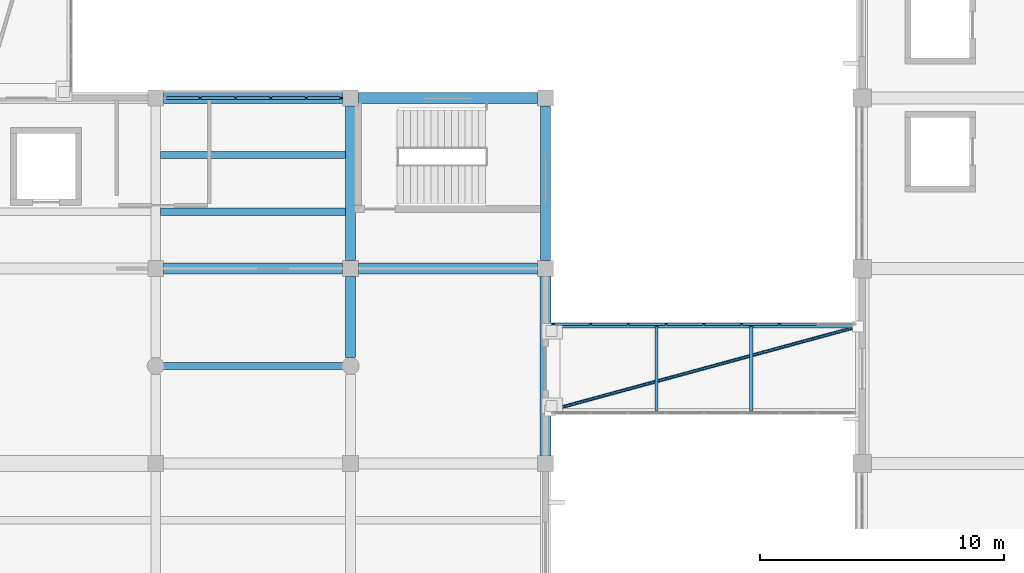
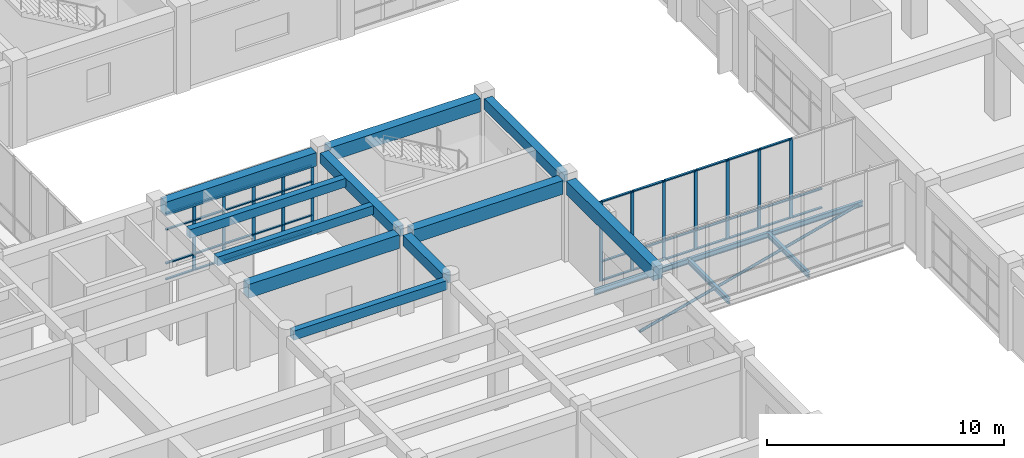
# One storey, part 21 of 70: 53 members, 14 beams, 2 elements without a shape of their own.
"""IFC4 building model written with IfcOpenShell, lengths in metres."""

from ifc_helpers import new_model, si_unit, direction, frame, origin, origin_2d, place, context, subcontext, project, spatial, rectangle, hollow_circle, i_section, extrude, material, layer, layer_set, material_profile, profile_set, type_object, element, aggregate, save


model = new_model("IFC4")

# Units and contexts
model_context = context("Model", 3, precision=1e-05, world=origin(), true_north=direction((0.0, 1.0)))
body_context = subcontext(model_context, "Body", "Model", "MODEL_VIEW")
ifc_project = project(units=[si_unit("LENGTHUNIT", "METRE"), si_unit("AREAUNIT", "SQUARE_METRE"), si_unit("VOLUMEUNIT", "CUBIC_METRE"), si_unit("PLANEANGLEUNIT", "RADIAN"), si_unit("MASSUNIT", "GRAM", prefix="KILO")], contexts=[model_context])

# Site, building, storey
site_placement = place(None, origin())
site = spatial("IfcSite", under=ifc_project, at=site_placement, CompositionType="ELEMENT")
building_placement = place(site_placement, origin())
building = spatial("IfcBuilding", under=site, at=building_placement, Name="Naurynzar Civic Courthouse", CompositionType="ELEMENT")
storey_placement = place(building_placement, frame((0.0, 0.0, 5.39990234375)))
storey = spatial("IfcBuildingStorey", under=building, at=storey_placement, Name="L02", CompositionType="ELEMENT", Elevation=5.39990234375)

# Beams
ifc_material_1 = material(Name="Concrete C40/50", Category="concrete")
ifc_material_profile_1 = material_profile(ifc_material_1, rectangle(XDim=0.300048828125, YDim=0.449951171875, at=origin_2d()), Name="RCJ 300x450")
ifc_profile_set_1 = profile_set([ifc_material_profile_1], Name="Concrete C40/50")
beam_type_1 = type_object("IfcBeamType", Name="BM-JST-300x450", PredefinedType="JOIST", material=ifc_profile_set_1)
for number, where, z_axis, x_axis, name in (
    (1, (101.199951171875, 27.333251953125, 3.93505859375), (1.0, 0.0, 0.0), (0.0, 1.0, 0.0), "V3 secondary rib 1415 L02"),
    (2, (101.199951171875, 29.666748046875, 3.93505859375), (1.0, 0.0, 0.0), (0.0, 1.0, 0.0), "V3 secondary rib 1416 L02"),
):
    element("IfcBeam", number, at=place(storey_placement, frame(where, z_axis=z_axis, x_axis=x_axis)), inside=storey, type_object=beam_type_1, Name=name, PredefinedType="JOIST", context=body_context, shape_type="SweptSolid", body=[
        extrude(rectangle(XDim=0.300048828125, YDim=0.449951171875, at=origin_2d()), origin(), (0.0, 0.0, 1.0), 7.60009765625),
    ])
ifc_material_2 = material(Name="Concrete C40/50", Category="concrete")
ifc_material_profile_2 = material_profile(ifc_material_2, rectangle(XDim=0.300048828125, YDim=0.47509765625, at=origin_2d()), Name="RCB 300x475")
ifc_profile_set_2 = profile_set([ifc_material_profile_2], Name="Concrete C40/50")
beam_type_2 = type_object("IfcBeamType", Name="BM-LNT-300x475", PredefinedType="LINTEL", material=ifc_profile_set_2)
beam_1_placement = place(storey_placement, frame((101.25, 21.0, 3.922607421875), z_axis=(1.0, 0.0, 0.0), x_axis=(0.0, 1.0, 0.0)))
element("IfcBeam", 3, at=beam_1_placement, inside=storey, type_object=beam_type_2, Name="Law Library spine lintel beam 6", PredefinedType="LINTEL", context=body_context, shape_type="SweptSolid", body=[
    extrude(rectangle(XDim=0.300048828125, YDim=0.47509765625, at=origin_2d()), origin(), (0.0, 0.0, 1.0), 7.5),
])
ifc_material_3 = material(Name="Concrete C40/50", Category="concrete")
ifc_material_profile_3 = material_profile(ifc_material_3, rectangle(XDim=0.39990234375, YDim=0.550048828125, at=origin_2d()), Name="RCB 400x550")
ifc_profile_set_3 = profile_set([ifc_material_profile_3], Name="Concrete C40/50")
beam_type_3 = type_object("IfcBeamType", Name="BM-RC-400x550", PredefinedType="BEAM", material=ifc_profile_set_3)
beam_2_placement = place(storey_placement, frame((109.0, 21.35009765625, 3.885009765625), z_axis=(0.0, 1.0, 0.0), x_axis=(-1.0, 0.0, 0.0)))
element("IfcBeam", 4, at=beam_2_placement, inside=storey, type_object=beam_type_3, Name="V3 girder Y-1394 L02", PredefinedType="BEAM", context=body_context, shape_type="SweptSolid", body=[
    extrude(rectangle(XDim=0.39990234375, YDim=0.550048828125, at=origin_2d()), origin(), (0.0, 0.0, 1.0), 3.324951171875),
])
for number, where, z_axis, x_axis, name in (
    (5, (109.0, 25.324951171875, 3.885009765625), (0.0, 1.0, 0.0), (-1.0, 0.0, 0.0), "V3 girder Y-1395 L02"),
    (6, (117.0, 25.324951171875, 3.885009765625), (0.0, 1.0, 0.0), (-1.0, 0.0, 0.0), "V3 girder Y-1399 L02"),
):
    element("IfcBeam", number, at=place(storey_placement, frame(where, z_axis=z_axis, x_axis=x_axis)), inside=storey, type_object=beam_type_3, Name=name, PredefinedType="BEAM", context=body_context, shape_type="SweptSolid", body=[
        extrude(rectangle(XDim=0.39990234375, YDim=0.550048828125, at=origin_2d()), origin(), (0.0, 0.0, 1.0), 6.35009765625),
    ])
ifc_material_4 = material(Name="Concrete C40/50", Category="concrete")
ifc_material_profile_4 = material_profile(ifc_material_4, rectangle(XDim=0.449951171875, YDim=0.699951171875, at=origin_2d()), Name="RCB 450x700")
ifc_profile_set_4 = profile_set([ifc_material_profile_4], Name="Concrete C40/50")
beam_type_4 = type_object("IfcBeamType", Name="BM-RC-450x700", PredefinedType="BEAM", material=ifc_profile_set_4)
for number, where, z_axis, x_axis, name in (
    (7, (101.324951171875, 25.0, 3.81005859375), (1.0, 0.0, 0.0), (0.0, 1.0, 0.0), "V3 beam X-1361 L02"),
    (8, (109.324951171875, 25.0, 3.81005859375), (1.0, 0.0, 0.0), (0.0, 1.0, 0.0), "V3 beam X-1362 L02"),
    (9, (101.324951171875, 32.0, 3.81005859375), (1.0, 0.0, 0.0), (0.0, 1.0, 0.0), "V3 beam X-1367 L02"),
    (10, (109.324951171875, 32.0, 3.81005859375), (1.0, 0.0, 0.0), (0.0, 1.0, 0.0), "V3 beam X-1368 L02"),
    (11, (117.0, 17.324951171875, 3.81005859375), (0.0, 1.0, 0.0), (-1.0, 0.0, 0.0), "V3 girder Y-1398 L02"),
):
    element("IfcBeam", number, at=place(storey_placement, frame(where, z_axis=z_axis, x_axis=x_axis)), inside=storey, type_object=beam_type_4, Name=name, PredefinedType="BEAM", context=body_context, shape_type="SweptSolid", body=[
        extrude(rectangle(XDim=0.449951171875, YDim=0.699951171875, at=origin_2d()), origin(), (0.0, 0.0, 1.0), 7.35009765625),
    ])
ifc_material_5 = material(Name="Steel S355", Category="steel")
ifc_material_profile_5 = material_profile(ifc_material_5, i_section(OverallWidth=0.135009765625, OverallDepth=0.27001953125, WebThickness=0.006591796875, FlangeThickness=0.01025390625, FilletRadius=0.014892578125, at=origin_2d()), Name="IPE 270")
ifc_profile_set_5 = profile_set([ifc_material_profile_5], Name="Steel S355")
beam_type_5 = type_object("IfcBeamType", Name="BM-STL-IPE270", PredefinedType="BEAM", material=ifc_profile_set_5)
beam_3_placement = place(storey_placement, frame((116.949951171875, 22.6298828125, -0.375), z_axis=(1.0, 0.0, 0.0), x_axis=(0.0, 1.0, 0.0)))
element("IfcBeam", 12, at=beam_3_placement, inside=storey, type_object=beam_type_5, Name="BR-E2 edge steel beam L02.2", PredefinedType="BEAM", context=body_context, shape_type="SweptSolid", body=[
    extrude(i_section(OverallWidth=0.135009765625, OverallDepth=0.27001953125, WebThickness=0.006591796875, FlangeThickness=0.01025390625, FilletRadius=0.014892578125, at=origin_2d()), origin(), (0.0, 0.0, 1.0), 13.10009765625),
])
for number, where, z_axis, x_axis, name in (
    (13, (121.555908203125, 19.169921875, -0.375), (0.0, 1.0, 0.0), (-1.0, 0.0, 0.0), "BR-E2 deck cross-beam L02.1"),
    (14, (125.444091796875, 19.169921875, -0.375), (0.0, 1.0, 0.0), (-1.0, 0.0, 0.0), "BR-E2 deck cross-beam L02.2"),
):
    element("IfcBeam", number, at=place(storey_placement, frame(where, z_axis=z_axis, x_axis=x_axis)), inside=storey, type_object=beam_type_5, Name=name, PredefinedType="BEAM", context=body_context, shape_type="SweptSolid", body=[
        extrude(i_section(OverallWidth=0.135009765625, OverallDepth=0.27001953125, WebThickness=0.006591796875, FlangeThickness=0.01025390625, FilletRadius=0.014892578125, at=origin_2d()), origin(), (0.0, 0.0, 1.0), 3.4599609375),
    ])

# Curtain wall, members
ifc_material_6 = material(Name="Aluminium 6063-T6", Category="aluminium")
ifc_layer_1 = layer(ifc_material_6, 0.179931640625)
ifc_layer_set_1 = layer_set([ifc_layer_1], Name="CW-UNIT-1500")
curtain_wall_type_1 = type_object("IfcCurtainWallType", Name="CW-UNIT-1500", PredefinedType="NOTDEFINED", material=ifc_layer_set_1)
curtain_wall_1_placement = place(storey_placement, origin())
curtain_wall_1 = element("IfcCurtainWall", 15, at=curtain_wall_1_placement, inside=storey, type_object=curtain_wall_type_1, Name="V3 unitised curtain wall 66 L02", PredefinedType="NOTDEFINED")
ifc_material_7 = material(Name="Aluminium 6063-T6", Category="aluminium")
ifc_material_profile_6 = material_profile(ifc_material_7, rectangle(XDim=0.06005859375, YDim=0.14990234375, at=origin_2d()), Name="ALU MULLION 60x150")
ifc_profile_set_6 = profile_set([ifc_material_profile_6], Name="Aluminium 6063-T6")
member_type_1 = type_object("IfcMemberType", Name="CWM-60x150", PredefinedType="MULLION", material=ifc_profile_set_6)
member_1_placement = place(storey_placement, frame((102.824951171875, 32.0, 0.0), z_axis=(0.0, 0.0, 1.0), x_axis=(0.0, 1.0, 0.0)))
member_1 = element("IfcMember", 16, at=member_1_placement, type_object=member_type_1, Name="CW-01 mullion 2", PredefinedType="MULLION", context=body_context, shape_type="SweptSolid", body=[
    extrude(rectangle(XDim=0.06005859375, YDim=0.14990234375, at=origin_2d()), origin(), (0.0, 0.0, 1.0), 3.440185546875),
])
member_2_placement = place(storey_placement, frame((104.27490234375, 32.0, 0.0), z_axis=(0.0, 0.0, 1.0), x_axis=(0.0, 1.0, 0.0)))
member_2 = element("IfcMember", 17, at=member_2_placement, type_object=member_type_1, Name="CW-01 mullion 3", PredefinedType="MULLION", context=body_context, shape_type="SweptSolid", body=[
    extrude(rectangle(XDim=0.06005859375, YDim=0.14990234375, at=origin_2d()), origin(), (0.0, 0.0, 1.0), 3.440185546875),
])
member_3_placement = place(storey_placement, frame((105.72509765625, 32.0, 0.0), z_axis=(0.0, 0.0, 1.0), x_axis=(0.0, 1.0, 0.0)))
member_3 = element("IfcMember", 18, at=member_3_placement, type_object=member_type_1, Name="CW-01 mullion 4", PredefinedType="MULLION", context=body_context, shape_type="SweptSolid", body=[
    extrude(rectangle(XDim=0.06005859375, YDim=0.14990234375, at=origin_2d()), origin(), (0.0, 0.0, 1.0), 3.440185546875),
])
member_4_placement = place(storey_placement, frame((107.175048828125, 32.0, 0.0), z_axis=(0.0, 0.0, 1.0), x_axis=(0.0, 1.0, 0.0)))
member_4 = element("IfcMember", 19, at=member_4_placement, type_object=member_type_1, Name="CW-01 mullion 5", PredefinedType="MULLION", context=body_context, shape_type="SweptSolid", body=[
    extrude(rectangle(XDim=0.06005859375, YDim=0.14990234375, at=origin_2d()), origin(), (0.0, 0.0, 1.0), 3.440185546875),
])
member_5_placement = place(storey_placement, frame((108.594970703125, 32.0, 0.0), z_axis=(0.0, 0.0, 1.0), x_axis=(0.0, 1.0, 0.0)))
member_5 = element("IfcMember", 20, at=member_5_placement, type_object=member_type_1, Name="CW-01 mullion 6", PredefinedType="MULLION", context=body_context, shape_type="SweptSolid", body=[
    extrude(rectangle(XDim=0.06005859375, YDim=0.14990234375, at=origin_2d()), origin(), (0.0, 0.0, 1.0), 3.440185546875),
])

ifc_material_8 = material(Name="Aluminium 6063-T6", Category="aluminium")
ifc_layer_2 = layer(ifc_material_8, 0.14990234375)
ifc_layer_set_2 = layer_set([ifc_layer_2], Name="CW-BRIDGE-1500")
curtain_wall_type_2 = type_object("IfcCurtainWallType", Name="CW-BRIDGE-1500", PredefinedType="USERDEFINED", material=ifc_layer_set_2)
curtain_wall_2_placement = place(storey_placement, origin())
curtain_wall_2 = element("IfcCurtainWall", 21, at=curtain_wall_2_placement, inside=storey, type_object=curtain_wall_type_2, Name="BR-E2 glazed bridge screen L02.2", ObjectType="GLAZED BRIDGE SCREEN", PredefinedType="USERDEFINED")
member_6_placement = place(storey_placement, frame((126.60009765625, 22.719970703125, 0.0), z_axis=(0.0, 0.0, 1.0), x_axis=(0.0, -1.0, 0.0)))
member_6 = element("IfcMember", 22, at=member_6_placement, type_object=member_type_1, Name="CW-03 mullion 3", PredefinedType="MULLION", context=body_context, shape_type="SweptSolid", body=[
    extrude(rectangle(XDim=0.06005859375, YDim=0.14990234375, at=origin_2d()), origin(), (0.0, 0.0, 1.0), 4.1201171875),
])
member_7_placement = place(storey_placement, frame((125.050048828125, 22.719970703125, 0.0), z_axis=(0.0, 0.0, 1.0), x_axis=(0.0, -1.0, 0.0)))
member_7 = element("IfcMember", 23, at=member_7_placement, type_object=member_type_1, Name="CW-03 mullion 4", PredefinedType="MULLION", context=body_context, shape_type="SweptSolid", body=[
    extrude(rectangle(XDim=0.06005859375, YDim=0.14990234375, at=origin_2d()), origin(), (0.0, 0.0, 1.0), 4.1201171875),
])
member_8_placement = place(storey_placement, frame((123.5, 22.719970703125, 0.0), z_axis=(0.0, 0.0, 1.0), x_axis=(0.0, -1.0, 0.0)))
member_8 = element("IfcMember", 24, at=member_8_placement, type_object=member_type_1, Name="CW-03 mullion 5", PredefinedType="MULLION", context=body_context, shape_type="SweptSolid", body=[
    extrude(rectangle(XDim=0.06005859375, YDim=0.14990234375, at=origin_2d()), origin(), (0.0, 0.0, 1.0), 4.1201171875),
])
member_9_placement = place(storey_placement, frame((121.949951171875, 22.719970703125, 0.0), z_axis=(0.0, 0.0, 1.0), x_axis=(0.0, -1.0, 0.0)))
member_9 = element("IfcMember", 25, at=member_9_placement, type_object=member_type_1, Name="CW-03 mullion 6", PredefinedType="MULLION", context=body_context, shape_type="SweptSolid", body=[
    extrude(rectangle(XDim=0.06005859375, YDim=0.14990234375, at=origin_2d()), origin(), (0.0, 0.0, 1.0), 4.1201171875),
])
member_10_placement = place(storey_placement, frame((120.39990234375, 22.719970703125, 0.0), z_axis=(0.0, 0.0, 1.0), x_axis=(0.0, -1.0, 0.0)))
member_10 = element("IfcMember", 26, at=member_10_placement, type_object=member_type_1, Name="CW-03 mullion 7", PredefinedType="MULLION", context=body_context, shape_type="SweptSolid", body=[
    extrude(rectangle(XDim=0.06005859375, YDim=0.14990234375, at=origin_2d()), origin(), (0.0, 0.0, 1.0), 4.1201171875),
])
member_11_placement = place(storey_placement, frame((118.85009765625, 22.719970703125, 0.0), z_axis=(0.0, 0.0, 1.0), x_axis=(0.0, -1.0, 0.0)))
member_11 = element("IfcMember", 27, at=member_11_placement, type_object=member_type_1, Name="CW-03 mullion 8", PredefinedType="MULLION", context=body_context, shape_type="SweptSolid", body=[
    extrude(rectangle(XDim=0.06005859375, YDim=0.14990234375, at=origin_2d()), origin(), (0.0, 0.0, 1.0), 4.1201171875),
])
member_12_placement = place(storey_placement, frame((117.330078125, 22.719970703125, 0.0), z_axis=(0.0, 0.0, 1.0), x_axis=(0.0, -1.0, 0.0)))
member_12 = element("IfcMember", 28, at=member_12_placement, type_object=member_type_1, Name="CW-03 mullion 9", PredefinedType="MULLION", context=body_context, shape_type="SweptSolid", body=[
    extrude(rectangle(XDim=0.06005859375, YDim=0.14990234375, at=origin_2d()), origin(), (0.0, 0.0, 1.0), 4.1201171875),
])

# Member
ifc_material_9 = material(Name="Aluminium 6063-T6", Category="aluminium")
ifc_material_profile_7 = material_profile(ifc_material_9, rectangle(XDim=0.110107421875, YDim=0.06005859375, at=origin_2d()), Name="ALU TRANSOM 60x110")
ifc_profile_set_7 = profile_set([ifc_material_profile_7], Name="Aluminium 6063-T6")
member_type_2 = type_object("IfcMemberType", Name="CWT-60x110", PredefinedType="USERDEFINED", material=ifc_profile_set_7)
member_13_placement = place(storey_placement, frame((101.43505859375, 32.0, 0.030029296875), z_axis=(1.0, 0.0, 0.0), x_axis=(0.0, 1.0, 0.0)))
member_13 = element("IfcMember", 29, at=member_13_placement, type_object=member_type_2, Name="CW-01 transom 1.1", ObjectType="TRANSOM", PredefinedType="USERDEFINED", context=body_context, shape_type="SweptSolid", body=[
    extrude(rectangle(XDim=0.110107421875, YDim=0.06005859375, at=origin_2d()), origin(), (0.0, 0.0, 1.0), 1.35986328125),
])

member_14_placement = place(storey_placement, frame((101.43505859375, 32.0, 0.85009765625), z_axis=(1.0, 0.0, 0.0), x_axis=(0.0, 1.0, 0.0)))
member_14 = element("IfcMember", 30, at=member_14_placement, type_object=member_type_2, Name="CW-01 transom 1.2", ObjectType="TRANSOM", PredefinedType="USERDEFINED", context=body_context, shape_type="SweptSolid", body=[
    extrude(rectangle(XDim=0.110107421875, YDim=0.06005859375, at=origin_2d()), origin(), (0.0, 0.0, 1.0), 1.35986328125),
])

member_15_placement = place(storey_placement, frame((101.43505859375, 32.0, 2.590087890625), z_axis=(1.0, 0.0, 0.0), x_axis=(0.0, 1.0, 0.0)))
member_15 = element("IfcMember", 31, at=member_15_placement, type_object=member_type_2, Name="CW-01 transom 1.3", ObjectType="TRANSOM", PredefinedType="USERDEFINED", context=body_context, shape_type="SweptSolid", body=[
    extrude(rectangle(XDim=0.110107421875, YDim=0.06005859375, at=origin_2d()), origin(), (0.0, 0.0, 1.0), 1.35986328125),
])

member_16_placement = place(storey_placement, frame((101.43505859375, 32.0, 3.41015625), z_axis=(1.0, 0.0, 0.0), x_axis=(0.0, 1.0, 0.0)))
member_16 = element("IfcMember", 32, at=member_16_placement, type_object=member_type_2, Name="CW-01 transom 1.4", ObjectType="TRANSOM", PredefinedType="USERDEFINED", context=body_context, shape_type="SweptSolid", body=[
    extrude(rectangle(XDim=0.110107421875, YDim=0.06005859375, at=origin_2d()), origin(), (0.0, 0.0, 1.0), 1.35986328125),
])

member_17_placement = place(storey_placement, frame((102.85498046875, 32.0, 0.030029296875), z_axis=(1.0, 0.0, 0.0), x_axis=(0.0, 1.0, 0.0)))
member_17 = element("IfcMember", 33, at=member_17_placement, type_object=member_type_2, Name="CW-01 transom 2.1", ObjectType="TRANSOM", PredefinedType="USERDEFINED", context=body_context, shape_type="SweptSolid", body=[
    extrude(rectangle(XDim=0.110107421875, YDim=0.06005859375, at=origin_2d()), origin(), (0.0, 0.0, 1.0), 1.39013671875),
])

member_18_placement = place(storey_placement, frame((102.85498046875, 32.0, 0.85009765625), z_axis=(1.0, 0.0, 0.0), x_axis=(0.0, 1.0, 0.0)))
member_18 = element("IfcMember", 34, at=member_18_placement, type_object=member_type_2, Name="CW-01 transom 2.2", ObjectType="TRANSOM", PredefinedType="USERDEFINED", context=body_context, shape_type="SweptSolid", body=[
    extrude(rectangle(XDim=0.110107421875, YDim=0.06005859375, at=origin_2d()), origin(), (0.0, 0.0, 1.0), 1.39013671875),
])

member_19_placement = place(storey_placement, frame((102.85498046875, 32.0, 2.590087890625), z_axis=(1.0, 0.0, 0.0), x_axis=(0.0, 1.0, 0.0)))
member_19 = element("IfcMember", 35, at=member_19_placement, type_object=member_type_2, Name="CW-01 transom 2.3", ObjectType="TRANSOM", PredefinedType="USERDEFINED", context=body_context, shape_type="SweptSolid", body=[
    extrude(rectangle(XDim=0.110107421875, YDim=0.06005859375, at=origin_2d()), origin(), (0.0, 0.0, 1.0), 1.39013671875),
])

member_20_placement = place(storey_placement, frame((102.85498046875, 32.0, 3.41015625), z_axis=(1.0, 0.0, 0.0), x_axis=(0.0, 1.0, 0.0)))
member_20 = element("IfcMember", 36, at=member_20_placement, type_object=member_type_2, Name="CW-01 transom 2.4", ObjectType="TRANSOM", PredefinedType="USERDEFINED", context=body_context, shape_type="SweptSolid", body=[
    extrude(rectangle(XDim=0.110107421875, YDim=0.06005859375, at=origin_2d()), origin(), (0.0, 0.0, 1.0), 1.39013671875),
])

member_21_placement = place(storey_placement, frame((104.304931640625, 32.0, 0.030029296875), z_axis=(1.0, 0.0, 0.0), x_axis=(0.0, 1.0, 0.0)))
member_21 = element("IfcMember", 37, at=member_21_placement, type_object=member_type_2, Name="CW-01 transom 3.1", ObjectType="TRANSOM", PredefinedType="USERDEFINED", context=body_context, shape_type="SweptSolid", body=[
    extrude(rectangle(XDim=0.110107421875, YDim=0.06005859375, at=origin_2d()), origin(), (0.0, 0.0, 1.0), 1.39013671875),
])

member_22_placement = place(storey_placement, frame((104.304931640625, 32.0, 0.85009765625), z_axis=(1.0, 0.0, 0.0), x_axis=(0.0, 1.0, 0.0)))
member_22 = element("IfcMember", 38, at=member_22_placement, type_object=member_type_2, Name="CW-01 transom 3.2", ObjectType="TRANSOM", PredefinedType="USERDEFINED", context=body_context, shape_type="SweptSolid", body=[
    extrude(rectangle(XDim=0.110107421875, YDim=0.06005859375, at=origin_2d()), origin(), (0.0, 0.0, 1.0), 1.39013671875),
])

member_23_placement = place(storey_placement, frame((104.304931640625, 32.0, 2.590087890625), z_axis=(1.0, 0.0, 0.0), x_axis=(0.0, 1.0, 0.0)))
member_23 = element("IfcMember", 39, at=member_23_placement, type_object=member_type_2, Name="CW-01 transom 3.3", ObjectType="TRANSOM", PredefinedType="USERDEFINED", context=body_context, shape_type="SweptSolid", body=[
    extrude(rectangle(XDim=0.110107421875, YDim=0.06005859375, at=origin_2d()), origin(), (0.0, 0.0, 1.0), 1.39013671875),
])

member_24_placement = place(storey_placement, frame((104.304931640625, 32.0, 3.41015625), z_axis=(1.0, 0.0, 0.0), x_axis=(0.0, 1.0, 0.0)))
member_24 = element("IfcMember", 40, at=member_24_placement, type_object=member_type_2, Name="CW-01 transom 3.4", ObjectType="TRANSOM", PredefinedType="USERDEFINED", context=body_context, shape_type="SweptSolid", body=[
    extrude(rectangle(XDim=0.110107421875, YDim=0.06005859375, at=origin_2d()), origin(), (0.0, 0.0, 1.0), 1.39013671875),
])

member_25_placement = place(storey_placement, frame((105.7548828125, 32.0, 0.030029296875), z_axis=(1.0, 0.0, 0.0), x_axis=(0.0, 1.0, 0.0)))
member_25 = element("IfcMember", 41, at=member_25_placement, type_object=member_type_2, Name="CW-01 transom 4.1", ObjectType="TRANSOM", PredefinedType="USERDEFINED", context=body_context, shape_type="SweptSolid", body=[
    extrude(rectangle(XDim=0.110107421875, YDim=0.06005859375, at=origin_2d()), origin(), (0.0, 0.0, 1.0), 1.39013671875),
])

member_26_placement = place(storey_placement, frame((105.7548828125, 32.0, 0.85009765625), z_axis=(1.0, 0.0, 0.0), x_axis=(0.0, 1.0, 0.0)))
member_26 = element("IfcMember", 42, at=member_26_placement, type_object=member_type_2, Name="CW-01 transom 4.2", ObjectType="TRANSOM", PredefinedType="USERDEFINED", context=body_context, shape_type="SweptSolid", body=[
    extrude(rectangle(XDim=0.110107421875, YDim=0.06005859375, at=origin_2d()), origin(), (0.0, 0.0, 1.0), 1.39013671875),
])

member_27_placement = place(storey_placement, frame((105.7548828125, 32.0, 2.590087890625), z_axis=(1.0, 0.0, 0.0), x_axis=(0.0, 1.0, 0.0)))
member_27 = element("IfcMember", 43, at=member_27_placement, type_object=member_type_2, Name="CW-01 transom 4.3", ObjectType="TRANSOM", PredefinedType="USERDEFINED", context=body_context, shape_type="SweptSolid", body=[
    extrude(rectangle(XDim=0.110107421875, YDim=0.06005859375, at=origin_2d()), origin(), (0.0, 0.0, 1.0), 1.39013671875),
])

member_28_placement = place(storey_placement, frame((105.7548828125, 32.0, 3.41015625), z_axis=(1.0, 0.0, 0.0), x_axis=(0.0, 1.0, 0.0)))
member_28 = element("IfcMember", 44, at=member_28_placement, type_object=member_type_2, Name="CW-01 transom 4.4", ObjectType="TRANSOM", PredefinedType="USERDEFINED", context=body_context, shape_type="SweptSolid", body=[
    extrude(rectangle(XDim=0.110107421875, YDim=0.06005859375, at=origin_2d()), origin(), (0.0, 0.0, 1.0), 1.39013671875),
])

member_29_placement = place(storey_placement, frame((107.205078125, 32.0, 0.030029296875), z_axis=(1.0, 0.0, 0.0), x_axis=(0.0, 1.0, 0.0)))
member_29 = element("IfcMember", 45, at=member_29_placement, type_object=member_type_2, Name="CW-01 transom 5.1", ObjectType="TRANSOM", PredefinedType="USERDEFINED", context=body_context, shape_type="SweptSolid", body=[
    extrude(rectangle(XDim=0.110107421875, YDim=0.06005859375, at=origin_2d()), origin(), (0.0, 0.0, 1.0), 1.35986328125),
])

member_30_placement = place(storey_placement, frame((107.205078125, 32.0, 0.85009765625), z_axis=(1.0, 0.0, 0.0), x_axis=(0.0, 1.0, 0.0)))
member_30 = element("IfcMember", 46, at=member_30_placement, type_object=member_type_2, Name="CW-01 transom 5.2", ObjectType="TRANSOM", PredefinedType="USERDEFINED", context=body_context, shape_type="SweptSolid", body=[
    extrude(rectangle(XDim=0.110107421875, YDim=0.06005859375, at=origin_2d()), origin(), (0.0, 0.0, 1.0), 1.35986328125),
])

member_31_placement = place(storey_placement, frame((107.205078125, 32.0, 2.590087890625), z_axis=(1.0, 0.0, 0.0), x_axis=(0.0, 1.0, 0.0)))
member_31 = element("IfcMember", 47, at=member_31_placement, type_object=member_type_2, Name="CW-01 transom 5.3", ObjectType="TRANSOM", PredefinedType="USERDEFINED", context=body_context, shape_type="SweptSolid", body=[
    extrude(rectangle(XDim=0.110107421875, YDim=0.06005859375, at=origin_2d()), origin(), (0.0, 0.0, 1.0), 1.35986328125),
])

member_32_placement = place(storey_placement, frame((107.205078125, 32.0, 3.41015625), z_axis=(1.0, 0.0, 0.0), x_axis=(0.0, 1.0, 0.0)))
member_32 = element("IfcMember", 48, at=member_32_placement, type_object=member_type_2, Name="CW-01 transom 5.4", ObjectType="TRANSOM", PredefinedType="USERDEFINED", context=body_context, shape_type="SweptSolid", body=[
    extrude(rectangle(XDim=0.110107421875, YDim=0.06005859375, at=origin_2d()), origin(), (0.0, 0.0, 1.0), 1.35986328125),
])

aggregate(curtain_wall_1, [member_1, member_2, member_3, member_4, member_5, member_13, member_14, member_15, member_16, member_17, member_18, member_19, member_20, member_21, member_22, member_23, member_24, member_25, member_26, member_27, member_28, member_29, member_30, member_31, member_32])

member_33_placement = place(storey_placement, frame((128.1201171875, 22.719970703125, 0.030029296875), z_axis=(-1.0, 0.0, 0.0), x_axis=(0.0, -1.0, 0.0)))
member_33 = element("IfcMember", 49, at=member_33_placement, type_object=member_type_2, Name="CW-03 transom 2.1", ObjectType="TRANSOM", PredefinedType="USERDEFINED", context=body_context, shape_type="SweptSolid", body=[
    extrude(rectangle(XDim=0.110107421875, YDim=0.06005859375, at=origin_2d()), origin(), (0.0, 0.0, 1.0), 1.490234375),
])

member_34_placement = place(storey_placement, frame((128.1201171875, 22.719970703125, 1.0), z_axis=(-1.0, 0.0, 0.0), x_axis=(0.0, -1.0, 0.0)))
member_34 = element("IfcMember", 50, at=member_34_placement, type_object=member_type_2, Name="CW-03 transom 2.2", ObjectType="TRANSOM", PredefinedType="USERDEFINED", context=body_context, shape_type="SweptSolid", body=[
    extrude(rectangle(XDim=0.110107421875, YDim=0.06005859375, at=origin_2d()), origin(), (0.0, 0.0, 1.0), 1.490234375),
])

member_35_placement = place(storey_placement, frame((126.570068359375, 22.719970703125, 0.030029296875), z_axis=(-1.0, 0.0, 0.0), x_axis=(0.0, -1.0, 0.0)))
member_35 = element("IfcMember", 51, at=member_35_placement, type_object=member_type_2, Name="CW-03 transom 3.1", ObjectType="TRANSOM", PredefinedType="USERDEFINED", context=body_context, shape_type="SweptSolid", body=[
    extrude(rectangle(XDim=0.110107421875, YDim=0.06005859375, at=origin_2d()), origin(), (0.0, 0.0, 1.0), 1.489990234375),
])

member_36_placement = place(storey_placement, frame((126.570068359375, 22.719970703125, 1.0), z_axis=(-1.0, 0.0, 0.0), x_axis=(0.0, -1.0, 0.0)))
member_36 = element("IfcMember", 52, at=member_36_placement, type_object=member_type_2, Name="CW-03 transom 3.2", ObjectType="TRANSOM", PredefinedType="USERDEFINED", context=body_context, shape_type="SweptSolid", body=[
    extrude(rectangle(XDim=0.110107421875, YDim=0.06005859375, at=origin_2d()), origin(), (0.0, 0.0, 1.0), 1.489990234375),
])

member_37_placement = place(storey_placement, frame((126.570068359375, 22.719970703125, 4.090087890625), z_axis=(-1.0, 0.0, 0.0), x_axis=(0.0, -1.0, 0.0)))
member_37 = element("IfcMember", 53, at=member_37_placement, type_object=member_type_2, Name="CW-03 transom 3.3", ObjectType="TRANSOM", PredefinedType="USERDEFINED", context=body_context, shape_type="SweptSolid", body=[
    extrude(rectangle(XDim=0.110107421875, YDim=0.06005859375, at=origin_2d()), origin(), (0.0, 0.0, 1.0), 1.489990234375),
])

member_38_placement = place(storey_placement, frame((125.02001953125, 22.719970703125, 0.030029296875), z_axis=(-1.0, 0.0, 0.0), x_axis=(0.0, -1.0, 0.0)))
member_38 = element("IfcMember", 54, at=member_38_placement, type_object=member_type_2, Name="CW-03 transom 4.1", ObjectType="TRANSOM", PredefinedType="USERDEFINED", context=body_context, shape_type="SweptSolid", body=[
    extrude(rectangle(XDim=0.110107421875, YDim=0.06005859375, at=origin_2d()), origin(), (0.0, 0.0, 1.0), 1.489990234375),
])

member_39_placement = place(storey_placement, frame((125.02001953125, 22.719970703125, 1.0), z_axis=(-1.0, 0.0, 0.0), x_axis=(0.0, -1.0, 0.0)))
member_39 = element("IfcMember", 55, at=member_39_placement, type_object=member_type_2, Name="CW-03 transom 4.2", ObjectType="TRANSOM", PredefinedType="USERDEFINED", context=body_context, shape_type="SweptSolid", body=[
    extrude(rectangle(XDim=0.110107421875, YDim=0.06005859375, at=origin_2d()), origin(), (0.0, 0.0, 1.0), 1.489990234375),
])

member_40_placement = place(storey_placement, frame((125.02001953125, 22.719970703125, 4.090087890625), z_axis=(-1.0, 0.0, 0.0), x_axis=(0.0, -1.0, 0.0)))
member_40 = element("IfcMember", 56, at=member_40_placement, type_object=member_type_2, Name="CW-03 transom 4.3", ObjectType="TRANSOM", PredefinedType="USERDEFINED", context=body_context, shape_type="SweptSolid", body=[
    extrude(rectangle(XDim=0.110107421875, YDim=0.06005859375, at=origin_2d()), origin(), (0.0, 0.0, 1.0), 1.489990234375),
])

member_41_placement = place(storey_placement, frame((123.469970703125, 22.719970703125, 0.030029296875), z_axis=(-1.0, 0.0, 0.0), x_axis=(0.0, -1.0, 0.0)))
member_41 = element("IfcMember", 57, at=member_41_placement, type_object=member_type_2, Name="CW-03 transom 5.1", ObjectType="TRANSOM", PredefinedType="USERDEFINED", context=body_context, shape_type="SweptSolid", body=[
    extrude(rectangle(XDim=0.110107421875, YDim=0.06005859375, at=origin_2d()), origin(), (0.0, 0.0, 1.0), 1.489990234375),
])

member_42_placement = place(storey_placement, frame((123.469970703125, 22.719970703125, 1.0), z_axis=(-1.0, 0.0, 0.0), x_axis=(0.0, -1.0, 0.0)))
member_42 = element("IfcMember", 58, at=member_42_placement, type_object=member_type_2, Name="CW-03 transom 5.2", ObjectType="TRANSOM", PredefinedType="USERDEFINED", context=body_context, shape_type="SweptSolid", body=[
    extrude(rectangle(XDim=0.110107421875, YDim=0.06005859375, at=origin_2d()), origin(), (0.0, 0.0, 1.0), 1.489990234375),
])

member_43_placement = place(storey_placement, frame((123.469970703125, 22.719970703125, 4.090087890625), z_axis=(-1.0, 0.0, 0.0), x_axis=(0.0, -1.0, 0.0)))
member_43 = element("IfcMember", 59, at=member_43_placement, type_object=member_type_2, Name="CW-03 transom 5.3", ObjectType="TRANSOM", PredefinedType="USERDEFINED", context=body_context, shape_type="SweptSolid", body=[
    extrude(rectangle(XDim=0.110107421875, YDim=0.06005859375, at=origin_2d()), origin(), (0.0, 0.0, 1.0), 1.489990234375),
])

member_44_placement = place(storey_placement, frame((121.919921875, 22.719970703125, 0.030029296875), z_axis=(-1.0, 0.0, 0.0), x_axis=(0.0, -1.0, 0.0)))
member_44 = element("IfcMember", 60, at=member_44_placement, type_object=member_type_2, Name="CW-03 transom 6.1", ObjectType="TRANSOM", PredefinedType="USERDEFINED", context=body_context, shape_type="SweptSolid", body=[
    extrude(rectangle(XDim=0.110107421875, YDim=0.06005859375, at=origin_2d()), origin(), (0.0, 0.0, 1.0), 1.489990234375),
])

member_45_placement = place(storey_placement, frame((121.919921875, 22.719970703125, 1.0), z_axis=(-1.0, 0.0, 0.0), x_axis=(0.0, -1.0, 0.0)))
member_45 = element("IfcMember", 61, at=member_45_placement, type_object=member_type_2, Name="CW-03 transom 6.2", ObjectType="TRANSOM", PredefinedType="USERDEFINED", context=body_context, shape_type="SweptSolid", body=[
    extrude(rectangle(XDim=0.110107421875, YDim=0.06005859375, at=origin_2d()), origin(), (0.0, 0.0, 1.0), 1.489990234375),
])

member_46_placement = place(storey_placement, frame((121.919921875, 22.719970703125, 4.090087890625), z_axis=(-1.0, 0.0, 0.0), x_axis=(0.0, -1.0, 0.0)))
member_46 = element("IfcMember", 62, at=member_46_placement, type_object=member_type_2, Name="CW-03 transom 6.3", ObjectType="TRANSOM", PredefinedType="USERDEFINED", context=body_context, shape_type="SweptSolid", body=[
    extrude(rectangle(XDim=0.110107421875, YDim=0.06005859375, at=origin_2d()), origin(), (0.0, 0.0, 1.0), 1.489990234375),
])

member_47_placement = place(storey_placement, frame((120.3701171875, 22.719970703125, 0.030029296875), z_axis=(-1.0, 0.0, 0.0), x_axis=(0.0, -1.0, 0.0)))
member_47 = element("IfcMember", 63, at=member_47_placement, type_object=member_type_2, Name="CW-03 transom 7.1", ObjectType="TRANSOM", PredefinedType="USERDEFINED", context=body_context, shape_type="SweptSolid", body=[
    extrude(rectangle(XDim=0.110107421875, YDim=0.06005859375, at=origin_2d()), origin(), (0.0, 0.0, 1.0), 1.490234375),
])

member_48_placement = place(storey_placement, frame((120.3701171875, 22.719970703125, 1.0), z_axis=(-1.0, 0.0, 0.0), x_axis=(0.0, -1.0, 0.0)))
member_48 = element("IfcMember", 64, at=member_48_placement, type_object=member_type_2, Name="CW-03 transom 7.2", ObjectType="TRANSOM", PredefinedType="USERDEFINED", context=body_context, shape_type="SweptSolid", body=[
    extrude(rectangle(XDim=0.110107421875, YDim=0.06005859375, at=origin_2d()), origin(), (0.0, 0.0, 1.0), 1.490234375),
])

member_49_placement = place(storey_placement, frame((120.3701171875, 22.719970703125, 4.090087890625), z_axis=(-1.0, 0.0, 0.0), x_axis=(0.0, -1.0, 0.0)))
member_49 = element("IfcMember", 65, at=member_49_placement, type_object=member_type_2, Name="CW-03 transom 7.3", ObjectType="TRANSOM", PredefinedType="USERDEFINED", context=body_context, shape_type="SweptSolid", body=[
    extrude(rectangle(XDim=0.110107421875, YDim=0.06005859375, at=origin_2d()), origin(), (0.0, 0.0, 1.0), 1.490234375),
])

member_50_placement = place(storey_placement, frame((118.820068359375, 22.719970703125, 0.030029296875), z_axis=(-1.0, 0.0, 0.0), x_axis=(0.0, -1.0, 0.0)))
member_50 = element("IfcMember", 66, at=member_50_placement, type_object=member_type_2, Name="CW-03 transom 8.1", ObjectType="TRANSOM", PredefinedType="USERDEFINED", context=body_context, shape_type="SweptSolid", body=[
    extrude(rectangle(XDim=0.110107421875, YDim=0.06005859375, at=origin_2d()), origin(), (0.0, 0.0, 1.0), 1.4599609375),
])

member_51_placement = place(storey_placement, frame((118.820068359375, 22.719970703125, 1.0), z_axis=(-1.0, 0.0, 0.0), x_axis=(0.0, -1.0, 0.0)))
member_51 = element("IfcMember", 67, at=member_51_placement, type_object=member_type_2, Name="CW-03 transom 8.2", ObjectType="TRANSOM", PredefinedType="USERDEFINED", context=body_context, shape_type="SweptSolid", body=[
    extrude(rectangle(XDim=0.110107421875, YDim=0.06005859375, at=origin_2d()), origin(), (0.0, 0.0, 1.0), 1.4599609375),
])

member_52_placement = place(storey_placement, frame((118.820068359375, 22.719970703125, 4.090087890625), z_axis=(-1.0, 0.0, 0.0), x_axis=(0.0, -1.0, 0.0)))
member_52 = element("IfcMember", 68, at=member_52_placement, type_object=member_type_2, Name="CW-03 transom 8.3", ObjectType="TRANSOM", PredefinedType="USERDEFINED", context=body_context, shape_type="SweptSolid", body=[
    extrude(rectangle(XDim=0.110107421875, YDim=0.06005859375, at=origin_2d()), origin(), (0.0, 0.0, 1.0), 1.4599609375),
])

aggregate(curtain_wall_2, [member_6, member_7, member_8, member_9, member_10, member_11, member_12, member_33, member_34, member_35, member_36, member_37, member_38, member_39, member_40, member_41, member_42, member_43, member_44, member_45, member_46, member_47, member_48, member_49, member_50, member_51, member_52])

ifc_material_10 = material(Name="Steel S355", Category="steel")
ifc_material_profile_8 = material_profile(ifc_material_10, hollow_circle(Radius=0.06982421875, WallThickness=0.008056640625, at=origin_2d()), Name="CHS 139.7x8")
ifc_profile_set_8 = profile_set([ifc_material_profile_8], Name="Steel S355")
member_type_3 = type_object("IfcMemberType", Name="MEM-BRACE-CHS139", PredefinedType="BRACE", material=ifc_profile_set_8)
member_53_placement = place(storey_placement, frame((117.179931640625, 19.179931640625, -0.40478515625), z_axis=(0.964901744126, 0.262611165382, 0.0), x_axis=(-0.262611165382, 0.964901744126, 0.0)))
element("IfcMember", 69, at=member_53_placement, inside=storey, type_object=member_type_3, Name="BR-E2 wind brace L02.1", PredefinedType="BRACE", context=body_context, shape_type="SweptSolid", body=[
    extrude(hollow_circle(Radius=0.06982421875, WallThickness=0.008056640625, at=origin_2d()), origin(), (0.0, 0.0, 1.0), 13.099853515625),
])

save(model, "model.ifc")
